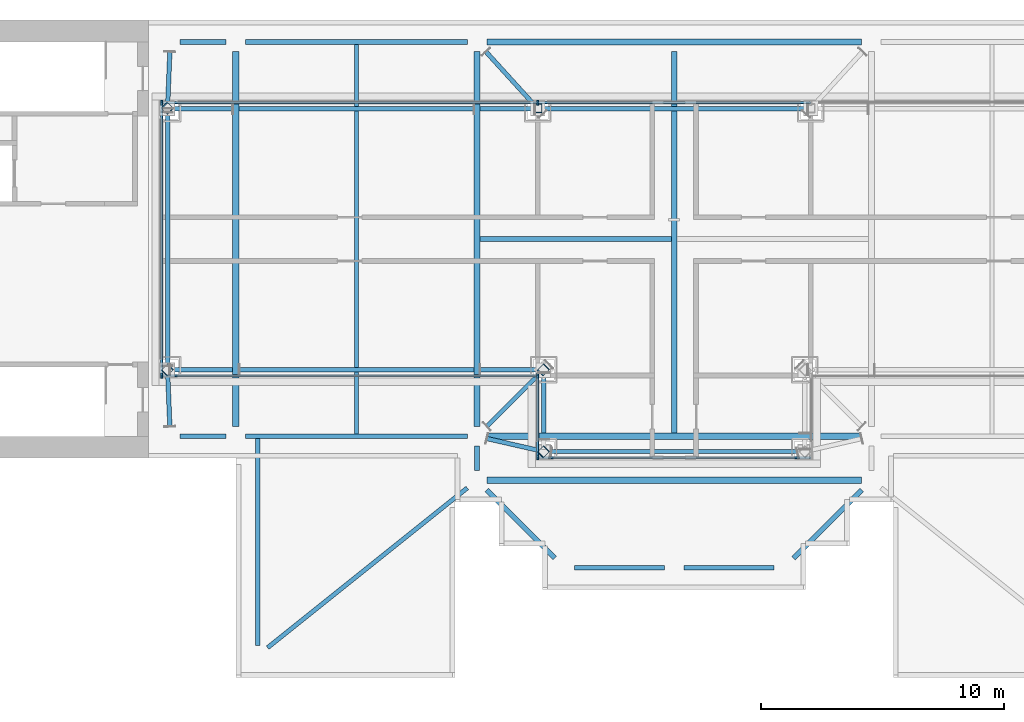
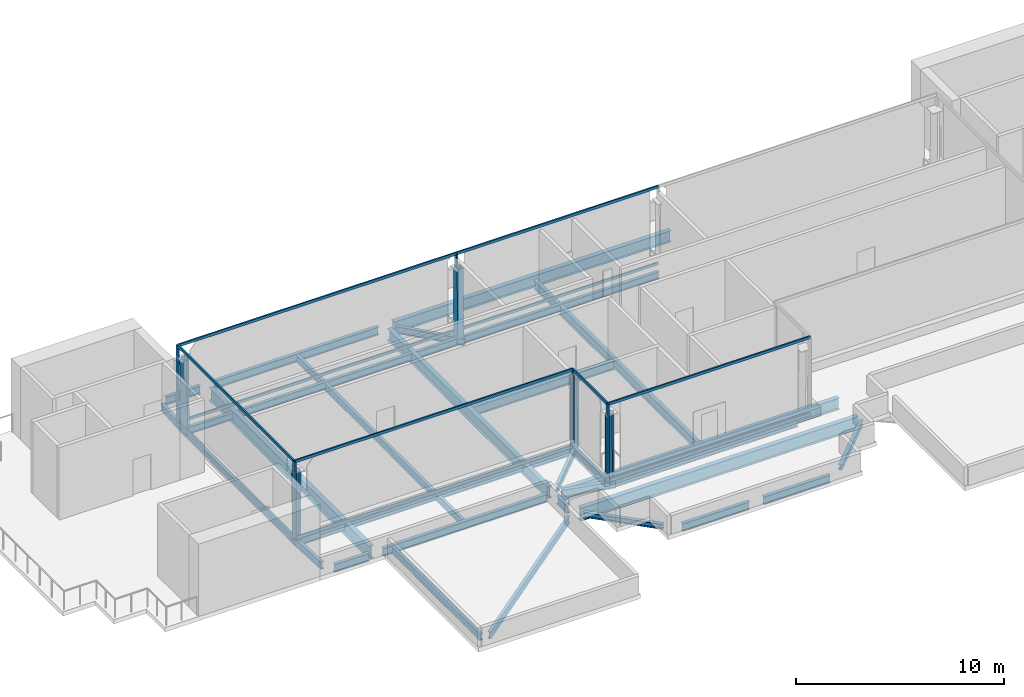
# One storey, part 1 of 8: 37 beams, 22 members, 6 elements without a shape of their own.
"""IFC4 building model written with IfcOpenShell, lengths in metres."""

from ifc_helpers import new_model, si_unit, direction, frame, origin, origin_2d, place, context, subcontext, project, spatial, rectangle, hollow_rectangle, i_section, extrude, material, material_profile, profile_set, type_object, element, aggregate, save


model = new_model("IFC4")

# Units and contexts
model_context = context("Model", 3, precision=1e-05, world=origin(), true_north=direction((0.0, 1.0)))
body_context = subcontext(model_context, "Body", "Model", "MODEL_VIEW")
ifc_project = project(units=[si_unit("LENGTHUNIT", "METRE"), si_unit("AREAUNIT", "SQUARE_METRE"), si_unit("VOLUMEUNIT", "CUBIC_METRE"), si_unit("PLANEANGLEUNIT", "RADIAN"), si_unit("MASSUNIT", "GRAM", prefix="KILO")], contexts=[model_context])

# Site, building, storey
site_placement = place(None, origin())
site = spatial("IfcSite", under=ifc_project, at=site_placement, CompositionType="ELEMENT")
building_placement = place(site_placement, origin())
building = spatial("IfcBuilding", under=site, at=building_placement, Name="Perihelion Cross Residences", CompositionType="ELEMENT")
storey_placement = place(building_placement, frame((0.0, 0.0, 298.800048828125)))
storey = spatial("IfcBuildingStorey", under=building, at=storey_placement, Name="L76", CompositionType="ELEMENT", Elevation=298.800048828125)

# Curtain wall, member
ifc_material_1 = material(Name="Bronze anodised aluminium, tinted glazing", Category="aluminium")
curtain_wall_type = type_object("IfcCurtainWallType", Name="CW6", PredefinedType="NOTDEFINED", material=ifc_material_1)
curtain_wall_1_placement = place(storey_placement, origin())
curtain_wall_1 = element("IfcCurtainWall", 1, at=curtain_wall_1_placement, inside=storey, type_object=curtain_wall_type, Name="Curtain wall CW6 L76 crown 4", PredefinedType="NOTDEFINED")
ifc_material_2 = material(Name="Bronze anodised aluminium", Category="aluminium")
ifc_material_profile_1 = material_profile(ifc_material_2, rectangle(XDim=0.080078125, YDim=0.199951171875, at=origin_2d()), Name="CW6 mullion")
ifc_profile_set_1 = profile_set([ifc_material_profile_1], Name="Bronze anodised aluminium")
member_type_1 = type_object("IfcMemberType", Name="CW6 mullion", PredefinedType="MULLION", material=ifc_profile_set_1)
member_1_placement = place(storey_placement, frame((-5.60693359375, 5.60693359375, 0.0), z_axis=(0.0, 0.0, 1.0), x_axis=(1.0, 0.0, 0.0)))
member_1 = element("IfcMember", 2, at=member_1_placement, type_object=member_type_1, Name="Mullion CW6-M L76 crown 4", PredefinedType="MULLION", context=body_context, shape_type="SweptSolid", body=[
    extrude(rectangle(XDim=0.080078125, YDim=0.199951171875, at=origin_2d()), origin(), (0.0, 0.0, 1.0), 4.5),
])

curtain_wall_2_placement = place(storey_placement, origin())
curtain_wall_2 = element("IfcCurtainWall", 3, at=curtain_wall_2_placement, inside=storey, type_object=curtain_wall_type, Name="Curtain wall CW6 L76 crown 5", PredefinedType="NOTDEFINED")
member_2_placement = place(storey_placement, frame((-21.057373046875, 5.60693359375, 0.0), z_axis=(0.0, 0.0, 1.0), x_axis=(1.0, 0.0, 0.0)))
member_2 = element("IfcMember", 4, at=member_2_placement, type_object=member_type_1, Name="Mullion CW6-M L76 crown 5", PredefinedType="MULLION", context=body_context, shape_type="SweptSolid", body=[
    extrude(rectangle(XDim=0.080078125, YDim=0.199951171875, at=origin_2d()), origin(), (0.0, 0.0, 1.0), 4.5),
])

curtain_wall_3_placement = place(storey_placement, origin())
curtain_wall_3 = element("IfcCurtainWall", 5, at=curtain_wall_3_placement, inside=storey, type_object=curtain_wall_type, Name="Curtain wall CW6 L76 crown 6", PredefinedType="NOTDEFINED")
member_3_placement = place(storey_placement, frame((-21.057373046875, -5.60693359375, 0.0), z_axis=(0.0, 0.0, 1.0), x_axis=(1.0, 0.0, 0.0)))
member_3 = element("IfcMember", 6, at=member_3_placement, type_object=member_type_1, Name="Mullion CW6-M L76 crown 6", PredefinedType="MULLION", context=body_context, shape_type="SweptSolid", body=[
    extrude(rectangle(XDim=0.080078125, YDim=0.199951171875, at=origin_2d()), origin(), (0.0, 0.0, 1.0), 4.5),
])

curtain_wall_4_placement = place(storey_placement, origin())
curtain_wall_4 = element("IfcCurtainWall", 7, at=curtain_wall_4_placement, inside=storey, type_object=curtain_wall_type, Name="Curtain wall CW6 L76 crown 7", PredefinedType="NOTDEFINED")
member_4_placement = place(storey_placement, frame((-5.60693359375, -5.60693359375, 0.0), z_axis=(0.0, 0.0, 1.0), x_axis=(1.0, 0.0, 0.0)))
member_4 = element("IfcMember", 8, at=member_4_placement, type_object=member_type_1, Name="Mullion CW6-M L76 crown 7", PredefinedType="MULLION", context=body_context, shape_type="SweptSolid", body=[
    extrude(rectangle(XDim=0.080078125, YDim=0.199951171875, at=origin_2d()), origin(), (0.0, 0.0, 1.0), 4.5),
])

curtain_wall_5_placement = place(storey_placement, origin())
curtain_wall_5 = element("IfcCurtainWall", 9, at=curtain_wall_5_placement, inside=storey, type_object=curtain_wall_type, Name="Curtain wall CW6 L76 crown 8", PredefinedType="NOTDEFINED")
member_5_placement = place(storey_placement, frame((-5.60693359375, -8.97119140625, 0.0), z_axis=(0.0, 0.0, 1.0), x_axis=(1.0, 0.0, 0.0)))
member_5 = element("IfcMember", 10, at=member_5_placement, type_object=member_type_1, Name="Mullion CW6-M L76 crown 8", PredefinedType="MULLION", context=body_context, shape_type="SweptSolid", body=[
    extrude(rectangle(XDim=0.080078125, YDim=0.199951171875, at=origin_2d()), origin(), (0.0, 0.0, 1.0), 4.5),
])

# Curtain wall, members
curtain_wall_6_placement = place(storey_placement, origin())
curtain_wall_6 = element("IfcCurtainWall", 11, at=curtain_wall_6_placement, inside=storey, type_object=curtain_wall_type, Name="Curtain wall CW6 L76 crown 3", PredefinedType="NOTDEFINED")
ifc_material_3 = material(Name="Bronze anodised aluminium", Category="aluminium")
ifc_material_profile_2 = material_profile(ifc_material_3, rectangle(XDim=0.080078125, YDim=0.159912109375, at=origin_2d()), Name="CW6 transom")
ifc_profile_set_2 = profile_set([ifc_material_profile_2], Name="Bronze anodised aluminium")
member_type_2 = type_object("IfcMemberType", Name="CW6 transom", PredefinedType="USERDEFINED", material=ifc_profile_set_2)
member_6_placement = place(storey_placement, frame((5.60693359375, 5.60693359375, 4.5), z_axis=(-1.0, 0.0, 0.0), x_axis=(0.0, -1.0, 0.0)))
member_6 = element("IfcMember", 12, at=member_6_placement, type_object=member_type_2, Name="Transom CW6-T L76 crown 3 top", ObjectType="TRANSOM", PredefinedType="USERDEFINED", context=body_context, shape_type="SweptSolid", body=[
    extrude(rectangle(XDim=0.080078125, YDim=0.159912109375, at=origin_2d()), origin(), (0.0, 0.0, 1.0), 11.2138671875),
])
member_7_placement = place(storey_placement, frame((5.60693359375, 5.60693359375, 0.0), z_axis=(-1.0, 0.0, 0.0), x_axis=(0.0, -1.0, 0.0)))
member_7 = element("IfcMember", 13, at=member_7_placement, type_object=member_type_2, Name="Transom CW6-T L76 crown 3 bottom", ObjectType="TRANSOM", PredefinedType="USERDEFINED", context=body_context, shape_type="SweptSolid", body=[
    extrude(rectangle(XDim=0.080078125, YDim=0.159912109375, at=origin_2d()), origin(), (0.0, 0.0, 1.0), 11.2138671875),
])
aggregate(curtain_wall_6, [member_6, member_7])

# Member
member_8_placement = place(storey_placement, frame((-5.60693359375, 5.60693359375, 4.5), z_axis=(-1.0, 0.0, 0.0), x_axis=(0.0, -1.0, 0.0)))
member_8 = element("IfcMember", 14, at=member_8_placement, type_object=member_type_2, Name="Transom CW6-T L76 crown 4 top", ObjectType="TRANSOM", PredefinedType="USERDEFINED", context=body_context, shape_type="SweptSolid", body=[
    extrude(rectangle(XDim=0.080078125, YDim=0.159912109375, at=origin_2d()), origin(), (0.0, 0.0, 1.0), 15.450439453125),
])

member_9_placement = place(storey_placement, frame((-5.60693359375, 5.60693359375, 0.0), z_axis=(-1.0, 0.0, 0.0), x_axis=(0.0, -1.0, 0.0)))
member_9 = element("IfcMember", 15, at=member_9_placement, type_object=member_type_2, Name="Transom CW6-T L76 crown 4 bottom", ObjectType="TRANSOM", PredefinedType="USERDEFINED", context=body_context, shape_type="SweptSolid", body=[
    extrude(rectangle(XDim=0.080078125, YDim=0.159912109375, at=origin_2d()), origin(), (0.0, 0.0, 1.0), 15.450439453125),
])

aggregate(curtain_wall_1, [member_1, member_8, member_9])

member_10_placement = place(storey_placement, frame((-21.057373046875, 5.60693359375, 4.5), z_axis=(0.0, -1.0, 0.0), x_axis=(1.0, 0.0, 0.0)))
member_10 = element("IfcMember", 16, at=member_10_placement, type_object=member_type_2, Name="Transom CW6-T L76 crown 5 top", ObjectType="TRANSOM", PredefinedType="USERDEFINED", context=body_context, shape_type="SweptSolid", body=[
    extrude(rectangle(XDim=0.080078125, YDim=0.159912109375, at=origin_2d()), origin(), (0.0, 0.0, 1.0), 11.2138671875),
])

member_11_placement = place(storey_placement, frame((-21.057373046875, 5.60693359375, 0.0), z_axis=(0.0, -1.0, 0.0), x_axis=(1.0, 0.0, 0.0)))
member_11 = element("IfcMember", 17, at=member_11_placement, type_object=member_type_2, Name="Transom CW6-T L76 crown 5 bottom", ObjectType="TRANSOM", PredefinedType="USERDEFINED", context=body_context, shape_type="SweptSolid", body=[
    extrude(rectangle(XDim=0.080078125, YDim=0.159912109375, at=origin_2d()), origin(), (0.0, 0.0, 1.0), 11.2138671875),
])

aggregate(curtain_wall_2, [member_2, member_10, member_11])

member_12_placement = place(storey_placement, frame((-21.057373046875, -5.60693359375, 4.5), z_axis=(1.0, 0.0, 0.0), x_axis=(0.0, 1.0, 0.0)))
member_12 = element("IfcMember", 18, at=member_12_placement, type_object=member_type_2, Name="Transom CW6-T L76 crown 6 top", ObjectType="TRANSOM", PredefinedType="USERDEFINED", context=body_context, shape_type="SweptSolid", body=[
    extrude(rectangle(XDim=0.080078125, YDim=0.159912109375, at=origin_2d()), origin(), (0.0, 0.0, 1.0), 15.450439453125),
])

member_13_placement = place(storey_placement, frame((-21.057373046875, -5.60693359375, 0.0), z_axis=(1.0, 0.0, 0.0), x_axis=(0.0, 1.0, 0.0)))
member_13 = element("IfcMember", 19, at=member_13_placement, type_object=member_type_2, Name="Transom CW6-T L76 crown 6 bottom", ObjectType="TRANSOM", PredefinedType="USERDEFINED", context=body_context, shape_type="SweptSolid", body=[
    extrude(rectangle(XDim=0.080078125, YDim=0.159912109375, at=origin_2d()), origin(), (0.0, 0.0, 1.0), 15.450439453125),
])

aggregate(curtain_wall_3, [member_3, member_12, member_13])

member_14_placement = place(storey_placement, frame((-5.60693359375, -5.60693359375, 4.5), z_axis=(0.0, -1.0, 0.0), x_axis=(1.0, 0.0, 0.0)))
member_14 = element("IfcMember", 20, at=member_14_placement, type_object=member_type_2, Name="Transom CW6-T L76 crown 7 top", ObjectType="TRANSOM", PredefinedType="USERDEFINED", context=body_context, shape_type="SweptSolid", body=[
    extrude(rectangle(XDim=0.080078125, YDim=0.159912109375, at=origin_2d()), origin(), (0.0, 0.0, 1.0), 3.3642578125),
])

member_15_placement = place(storey_placement, frame((-5.60693359375, -5.60693359375, 0.0), z_axis=(0.0, -1.0, 0.0), x_axis=(1.0, 0.0, 0.0)))
member_15 = element("IfcMember", 21, at=member_15_placement, type_object=member_type_2, Name="Transom CW6-T L76 crown 7 bottom", ObjectType="TRANSOM", PredefinedType="USERDEFINED", context=body_context, shape_type="SweptSolid", body=[
    extrude(rectangle(XDim=0.080078125, YDim=0.159912109375, at=origin_2d()), origin(), (0.0, 0.0, 1.0), 3.3642578125),
])

aggregate(curtain_wall_4, [member_4, member_14, member_15])

member_16_placement = place(storey_placement, frame((-5.60693359375, -8.97119140625, 4.5), z_axis=(1.0, 0.0, 0.0), x_axis=(0.0, 1.0, 0.0)))
member_16 = element("IfcMember", 22, at=member_16_placement, type_object=member_type_2, Name="Transom CW6-T L76 crown 8 top", ObjectType="TRANSOM", PredefinedType="USERDEFINED", context=body_context, shape_type="SweptSolid", body=[
    extrude(rectangle(XDim=0.080078125, YDim=0.159912109375, at=origin_2d()), origin(), (0.0, 0.0, 1.0), 11.2138671875),
])

member_17_placement = place(storey_placement, frame((-5.60693359375, -8.97119140625, 0.0), z_axis=(1.0, 0.0, 0.0), x_axis=(0.0, 1.0, 0.0)))
member_17 = element("IfcMember", 23, at=member_17_placement, type_object=member_type_2, Name="Transom CW6-T L76 crown 8 bottom", ObjectType="TRANSOM", PredefinedType="USERDEFINED", context=body_context, shape_type="SweptSolid", body=[
    extrude(rectangle(XDim=0.080078125, YDim=0.159912109375, at=origin_2d()), origin(), (0.0, 0.0, 1.0), 11.2138671875),
])

aggregate(curtain_wall_5, [member_5, member_16, member_17])

# Beams
ifc_material_4 = material(Name="Steel S355", Category="steel")
ifc_material_profile_3 = material_profile(ifc_material_4, i_section(OverallWidth=0.177978515625, OverallDepth=0.406005859375, WebThickness=0.0078125, FlangeThickness=0.0126953125, at=origin_2d()), Name="W410x60")
ifc_profile_set_3 = profile_set([ifc_material_profile_3], Name="Steel S355")
beam_type_1 = type_object("IfcBeamType", Name="Core edge beam W410x60", PredefinedType="BEAM", material=ifc_profile_set_3)
beam_1_placement = place(storey_placement, frame((-17.10009765625, -8.197021484375, -0.453125), z_axis=(0.0, -1.0, 0.0), x_axis=(1.0, 0.0, 0.0)))
element("IfcBeam", 24, at=beam_1_placement, inside=storey, type_object=beam_type_1, Name="Core edge beam TB2 L76 corner no. 1", PredefinedType="BEAM", context=body_context, shape_type="SweptSolid", body=[
    extrude(i_section(OverallWidth=0.177978515625, OverallDepth=0.406005859375, WebThickness=0.0078125, FlangeThickness=0.0126953125, at=origin_2d()), origin(), (0.0, 0.0, 1.0), 8.5029296875),
])
beam_2_placement = place(storey_placement, frame((-8.5, -10.219970703125, -0.453125), z_axis=(-0.780864273032, -0.624700718027, 0.0), x_axis=(0.624700718027, -0.780864273032, 0.0)))
element("IfcBeam", 25, at=beam_2_placement, inside=storey, type_object=beam_type_1, Name="Core edge beam TB2 L76 corner no. 2", PredefinedType="BEAM", context=body_context, shape_type="SweptSolid", body=[
    extrude(i_section(OverallWidth=0.177978515625, OverallDepth=0.406005859375, WebThickness=0.0078125, FlangeThickness=0.0126953125, at=origin_2d()), origin(), (0.0, 0.0, 1.0), 10.501220703125),
])

# Members
ifc_material_5 = material(Name="Steel S355", Category="steel")
ifc_material_profile_4 = material_profile(ifc_material_5, hollow_rectangle(XDim=0.35595703125, YDim=0.35595703125, WallThickness=0.015869140625, at=origin_2d()), Name="HSS355.6x355.6x15.9")
ifc_profile_set_4 = profile_set([ifc_material_profile_4], Name="Steel S355")
member_type_3 = type_object("IfcMemberType", Name="Crown leg HSS355.6x355.6x15.9", PredefinedType="BRACE", material=ifc_profile_set_4)
member_18_placement = place(storey_placement, frame((-5.60693359375, 5.360107421875, -0.25), z_axis=(0.0, 0.005560784627, 0.999984538718), x_axis=(-1.0, 0.0, 0.0)))
element("IfcMember", 26, at=member_18_placement, inside=storey, type_object=member_type_3, Name="Crown leg CR2 L76 4 no. 1", PredefinedType="BRACE", context=body_context, shape_type="SweptSolid", body=[
    extrude(hollow_rectangle(XDim=0.35595703125, YDim=0.35595703125, WallThickness=0.015869140625, at=origin_2d()), origin(), (0.0, 0.0, 1.0), 4.0830078125),
])
for number, where, z_axis, x_axis, name in (
    (27, (-20.810546875, 5.360107421875, -0.25), (-0.005560698653, 0.005560698653, 0.999969078152), (-0.707106781187, -0.707106781187, 0.0), "Crown leg CR2 L76 5 no. 1"),
    (28, (-20.810546875, -5.360107421875, -0.25), (-0.005560698653, -0.005560698653, 0.999969078152), (0.707106781187, -0.707106781187, 0.0), "Crown leg CR2 L76 6 no. 1"),
    (29, (-5.360107421875, -5.360107421875, -0.25), (-0.005560698653, -0.005560698653, 0.999969078152), (0.707106781187, -0.707106781187, 0.0), "Crown leg CR2 L76 7 no. 1"),
    (30, (-5.360107421875, -8.724365234375, -0.25), (-0.005560698653, -0.005560698653, 0.999969078152), (0.707106781187, -0.707106781187, 0.0), "Crown leg CR2 L76 8 no. 1"),
):
    element("IfcMember", number, at=place(storey_placement, frame(where, z_axis=z_axis, x_axis=x_axis)), inside=storey, type_object=member_type_3, Name=name, PredefinedType="BRACE", context=body_context, shape_type="SweptSolid", body=[
        extrude(hollow_rectangle(XDim=0.35595703125, YDim=0.35595703125, WallThickness=0.015869140625, at=origin_2d()), origin(), (0.0, 0.0, 1.0), 4.083251953125),
    ])

# Beams
ifc_material_6 = material(Name="Steel S355", Category="steel")
ifc_material_profile_5 = material_profile(ifc_material_6, i_section(OverallWidth=0.180908203125, OverallDepth=0.4169921875, WebThickness=0.010986328125, FlangeThickness=0.018310546875, at=origin_2d()), Name="W410x85")
ifc_profile_set_5 = profile_set([ifc_material_profile_5], Name="Steel S355")
beam_type_2 = type_object("IfcBeamType", Name="Crown ring beam W410x85", PredefinedType="BEAM", material=ifc_profile_set_5)
beam_3_placement = place(storey_placement, frame((5.484619140625, 5.360107421875, -0.45849609375), z_axis=(-1.0, 0.0, 0.0), x_axis=(0.0, -1.0, 0.0)))
element("IfcBeam", 31, at=beam_3_placement, inside=storey, type_object=beam_type_2, Name="Crown ring beam CB1 L76 no. 2", PredefinedType="BEAM", context=body_context, shape_type="SweptSolid", body=[
    extrude(i_section(OverallWidth=0.180908203125, OverallDepth=0.4169921875, WebThickness=0.010986328125, FlangeThickness=0.018310546875, at=origin_2d()), origin(), (0.0, 0.0, 1.0), 10.96923828125),
])
beam_4_placement = place(storey_placement, frame((-5.729248046875, 5.360107421875, -0.45849609375), z_axis=(-1.0, 0.0, 0.0), x_axis=(0.0, -1.0, 0.0)))
element("IfcBeam", 32, at=beam_4_placement, inside=storey, type_object=beam_type_2, Name="Crown ring beam CB1 L76 1 no. 2", PredefinedType="BEAM", context=body_context, shape_type="SweptSolid", body=[
    extrude(i_section(OverallWidth=0.180908203125, OverallDepth=0.4169921875, WebThickness=0.010986328125, FlangeThickness=0.018310546875, at=origin_2d()), origin(), (0.0, 0.0, 1.0), 2.24365234375),
])
beam_5_placement = place(storey_placement, frame((-8.22705078125, 5.360107421875, -0.45849609375), z_axis=(-1.0, 0.0, 0.0), x_axis=(0.0, -1.0, 0.0)))
element("IfcBeam", 33, at=beam_5_placement, inside=storey, type_object=beam_type_2, Name="Crown ring beam CB1 L76 2 no. 2", PredefinedType="BEAM", context=body_context, shape_type="SweptSolid", body=[
    extrude(i_section(OverallWidth=0.180908203125, OverallDepth=0.4169921875, WebThickness=0.010986328125, FlangeThickness=0.018310546875, at=origin_2d()), origin(), (0.0, 0.0, 1.0), 9.639404296875),
])
beam_6_placement = place(storey_placement, frame((-18.133544921875, 5.360107421875, -0.45849609375), z_axis=(-1.0, 0.0, 0.0), x_axis=(0.0, -1.0, 0.0)))
element("IfcBeam", 34, at=beam_6_placement, inside=storey, type_object=beam_type_2, Name="Crown ring beam CB1 L76 3 no. 2", PredefinedType="BEAM", context=body_context, shape_type="SweptSolid", body=[
    extrude(i_section(OverallWidth=0.180908203125, OverallDepth=0.4169921875, WebThickness=0.010986328125, FlangeThickness=0.018310546875, at=origin_2d()), origin(), (0.0, 0.0, 1.0), 2.58642578125),
])
beam_7_placement = place(storey_placement, frame((-20.810546875, 5.360107421875, -0.45849609375), z_axis=(0.0, -1.0, 0.0), x_axis=(1.0, 0.0, 0.0)))
element("IfcBeam", 35, at=beam_7_placement, inside=storey, type_object=beam_type_2, Name="Crown ring beam CB1 L76 no. 3", PredefinedType="BEAM", context=body_context, shape_type="SweptSolid", body=[
    extrude(i_section(OverallWidth=0.180908203125, OverallDepth=0.4169921875, WebThickness=0.010986328125, FlangeThickness=0.018310546875, at=origin_2d()), origin(), (0.0, 0.0, 1.0), 10.72021484375),
])
beam_8_placement = place(storey_placement, frame((-20.719970703125, -5.360107421875, -0.45849609375), z_axis=(1.0, 0.0, 0.0), x_axis=(0.0, 1.0, 0.0)))
element("IfcBeam", 36, at=beam_8_placement, inside=storey, type_object=beam_type_2, Name="Crown ring beam CB1 L76 1 no. 3", PredefinedType="BEAM", context=body_context, shape_type="SweptSolid", body=[
    extrude(i_section(OverallWidth=0.180908203125, OverallDepth=0.4169921875, WebThickness=0.010986328125, FlangeThickness=0.018310546875, at=origin_2d()), origin(), (0.0, 0.0, 1.0), 2.58642578125),
])
beam_9_placement = place(storey_placement, frame((-17.866455078125, -5.360107421875, -0.45849609375), z_axis=(1.0, 0.0, 0.0), x_axis=(0.0, 1.0, 0.0)))
element("IfcBeam", 37, at=beam_9_placement, inside=storey, type_object=beam_type_2, Name="Crown ring beam CB1 L76 2 no. 3", PredefinedType="BEAM", context=body_context, shape_type="SweptSolid", body=[
    extrude(i_section(OverallWidth=0.180908203125, OverallDepth=0.4169921875, WebThickness=0.010986328125, FlangeThickness=0.018310546875, at=origin_2d()), origin(), (0.0, 0.0, 1.0), 9.639404296875),
])
for number, where, z_axis, x_axis, name in (
    (38, (-7.972900390625, -5.360107421875, -0.45849609375), (1.0, 0.0, 0.0), (0.0, 1.0, 0.0), "Crown ring beam CB1 L76 3 no. 3"),
    (39, (-5.360107421875, -5.488037109375, -0.45849609375), (0.0, -1.0, 0.0), (1.0, 0.0, 0.0), "Crown ring beam CB1 L76 1 no. 4"),
):
    element("IfcBeam", number, at=place(storey_placement, frame(where, z_axis=z_axis, x_axis=x_axis)), inside=storey, type_object=beam_type_2, Name=name, PredefinedType="BEAM", context=body_context, shape_type="SweptSolid", body=[
        extrude(i_section(OverallWidth=0.180908203125, OverallDepth=0.4169921875, WebThickness=0.010986328125, FlangeThickness=0.018310546875, at=origin_2d()), origin(), (0.0, 0.0, 1.0), 2.48486328125),
    ])
beam_10_placement = place(storey_placement, frame((-5.05859375, -8.724365234375, -0.45849609375), z_axis=(1.0, 0.0, 0.0), x_axis=(0.0, 1.0, 0.0)))
element("IfcBeam", 40, at=beam_10_placement, inside=storey, type_object=beam_type_2, Name="Crown ring beam CB1 L76 no. 4", PredefinedType="BEAM", context=body_context, shape_type="SweptSolid", body=[
    extrude(i_section(OverallWidth=0.180908203125, OverallDepth=0.4169921875, WebThickness=0.010986328125, FlangeThickness=0.018310546875, at=origin_2d()), origin(), (0.0, 0.0, 1.0), 10.1171875),
])
beam_11_placement = place(storey_placement, frame((-5.405029296875, 5.13818359375, -0.45849609375), z_axis=(-0.67301654825, 0.739627423627, 0.0), x_axis=(-0.739627423627, -0.67301654825, 0.0)))
element("IfcBeam", 41, at=beam_11_placement, inside=storey, type_object=beam_type_2, Name="Crown tie beam CB1 L76 no. 4", PredefinedType="BEAM", context=body_context, shape_type="SweptSolid", body=[
    extrude(i_section(OverallWidth=0.180908203125, OverallDepth=0.4169921875, WebThickness=0.010986328125, FlangeThickness=0.018310546875, at=origin_2d()), origin(), (0.0, 0.0, 1.0), 3.463623046875),
])
for number, where, z_axis, x_axis, name in (
    (42, (-20.816650390625, 5.210205078125, -0.45849609375), (0.040367148927, 0.999184914462, 0.0), (-0.999184914462, 0.040367148927, 0.0), "Crown tie beam CB1 L76 no. 5"),
    (43, (-20.816650390625, -5.210205078125, -0.45849609375), (0.040367148927, -0.999184914462, 0.0), (0.999184914462, 0.040367148927, 0.0), "Crown tie beam CB1 L76 no. 6"),
):
    element("IfcBeam", number, at=place(storey_placement, frame(where, z_axis=z_axis, x_axis=x_axis)), inside=storey, type_object=beam_type_2, Name=name, PredefinedType="BEAM", context=body_context, shape_type="SweptSolid", body=[
        extrude(i_section(OverallWidth=0.180908203125, OverallDepth=0.4169921875, WebThickness=0.010986328125, FlangeThickness=0.018310546875, at=origin_2d()), origin(), (0.0, 0.0, 1.0), 2.49169921875),
    ])
beam_12_placement = place(storey_placement, frame((-5.14794921875, -5.14794921875, -0.45849609375), z_axis=(-0.707106781187, -0.707106781187, 0.0), x_axis=(0.707106781187, -0.707106781187, 0.0)))
element("IfcBeam", 44, at=beam_12_placement, inside=storey, type_object=beam_type_2, Name="Crown tie beam CB1 L76 no. 7", PredefinedType="BEAM", context=body_context, shape_type="SweptSolid", body=[
    extrude(i_section(OverallWidth=0.180908203125, OverallDepth=0.4169921875, WebThickness=0.010986328125, FlangeThickness=0.018310546875, at=origin_2d()), origin(), (0.0, 0.0, 1.0), 3.609130859375),
])
beam_13_placement = place(storey_placement, frame((-5.067626953125, -8.791015625, -0.45849609375), z_axis=(-0.975004778172, 0.222183893523, 0.0), x_axis=(-0.222183893523, -0.975004778172, 0.0)))
element("IfcBeam", 45, at=beam_13_placement, inside=storey, type_object=beam_type_2, Name="Crown tie beam CB1 L76 no. 8", PredefinedType="BEAM", context=body_context, shape_type="SweptSolid", body=[
    extrude(i_section(OverallWidth=0.180908203125, OverallDepth=0.4169921875, WebThickness=0.010986328125, FlangeThickness=0.018310546875, at=origin_2d()), origin(), (0.0, 0.0, 1.0), 2.69970703125),
])
ifc_material_7 = material(Name="Steel S355", Category="steel")
ifc_material_profile_6 = material_profile(ifc_material_7, i_section(OverallWidth=0.194091796875, OverallDepth=0.469970703125, WebThickness=0.0126953125, FlangeThickness=0.0205078125, at=origin_2d()), Name="W460x106")
ifc_profile_set_6 = profile_set([ifc_material_profile_6], Name="Steel S355")
beam_type_3 = type_object("IfcBeamType", Name="Edge beam W460x106", PredefinedType="SPANDREL", material=ifc_profile_set_6)
beam_14_placement = place(storey_placement, frame((-8.5, 8.10009765625, -0.485107421875), z_axis=(-1.0, 0.0, 0.0), x_axis=(0.0, -1.0, 0.0)))
element("IfcBeam", 46, at=beam_14_placement, inside=storey, type_object=beam_type_3, Name="Edge beam SB5 L76 no. 6", PredefinedType="SPANDREL", context=body_context, shape_type="SweptSolid", body=[
    extrude(i_section(OverallWidth=0.194091796875, OverallDepth=0.469970703125, WebThickness=0.0126953125, FlangeThickness=0.0205078125, at=origin_2d()), origin(), (0.0, 0.0, 1.0), 9.10009765625),
])
for number, where, z_axis, x_axis, name in (
    (47, (-18.39990234375, 8.10009765625, -0.485107421875), (-1.0, 0.0, 0.0), (0.0, -1.0, 0.0), "Edge beam SB5 L76 no. 2"),
    (48, (-20.300048828125, -8.10009765625, -0.485107421875), (1.0, 0.0, 0.0), (0.0, 1.0, 0.0), "Edge beam SB5 L76 no. 3"),
):
    element("IfcBeam", number, at=place(storey_placement, frame(where, z_axis=z_axis, x_axis=x_axis)), inside=storey, type_object=beam_type_3, Name=name, PredefinedType="SPANDREL", context=body_context, shape_type="SweptSolid", body=[
        extrude(i_section(OverallWidth=0.194091796875, OverallDepth=0.469970703125, WebThickness=0.0126953125, FlangeThickness=0.0205078125, at=origin_2d()), origin(), (0.0, 0.0, 1.0), 1.900146484375),
    ])
beam_15_placement = place(storey_placement, frame((-17.60009765625, -8.10009765625, -0.485107421875), z_axis=(1.0, 0.0, 0.0), x_axis=(0.0, 1.0, 0.0)))
element("IfcBeam", 49, at=beam_15_placement, inside=storey, type_object=beam_type_3, Name="Edge beam SB5 L76 no. 1", PredefinedType="SPANDREL", context=body_context, shape_type="SweptSolid", body=[
    extrude(i_section(OverallWidth=0.194091796875, OverallDepth=0.469970703125, WebThickness=0.0126953125, FlangeThickness=0.0205078125, at=origin_2d()), origin(), (0.0, 0.0, 1.0), 9.10009765625),
])
beam_16_placement = place(storey_placement, frame((-8.10009765625, -8.5, -0.485107421875), z_axis=(0.0, -1.0, 0.0), x_axis=(1.0, 0.0, 0.0)))
element("IfcBeam", 50, at=beam_16_placement, inside=storey, type_object=beam_type_3, Name="Edge beam SB5 L76 no. 5", PredefinedType="SPANDREL", context=body_context, shape_type="SweptSolid", body=[
    extrude(i_section(OverallWidth=0.194091796875, OverallDepth=0.469970703125, WebThickness=0.0126953125, FlangeThickness=0.0205078125, at=origin_2d()), origin(), (0.0, 0.0, 1.0), 1.0),
])
for number, where, z_axis, x_axis, name in (
    (51, (-4.10009765625, -13.5, -0.485107421875), (1.0, 0.0, 0.0), (0.0, 1.0, 0.0), "Edge beam SB5 L76 no. 4"),
    (52, (0.39990234375, -13.5, -0.485107421875), (1.0, 0.0, 0.0), (0.0, 1.0, 0.0), "Edge beam SB5 L76 no. 7"),
):
    element("IfcBeam", number, at=place(storey_placement, frame(where, z_axis=z_axis, x_axis=x_axis)), inside=storey, type_object=beam_type_3, Name=name, PredefinedType="SPANDREL", context=body_context, shape_type="SweptSolid", body=[
        extrude(i_section(OverallWidth=0.194091796875, OverallDepth=0.469970703125, WebThickness=0.0126953125, FlangeThickness=0.0205078125, at=origin_2d()), origin(), (0.0, 0.0, 1.0), 3.7001953125),
    ])
ifc_material_8 = material(Name="Steel S355", Category="steel")
ifc_material_profile_7 = material_profile(ifc_material_8, i_section(OverallWidth=0.26708984375, OverallDepth=0.75390625, WebThickness=0.01318359375, FlangeThickness=0.01708984375, at=origin_2d()), Name="W760x147")
ifc_profile_set_7 = profile_set([ifc_material_profile_7], Name="Steel S355")
beam_type_4 = type_object("IfcBeamType", Name="Floor girder W760x147", PredefinedType="BEAM", material=ifc_profile_set_7)
for number, where, z_axis, x_axis, name in (
    (53, (-7.699951171875, -9.89990234375, -0.626953125), (1.0, 0.0, 0.0), (0.0, 1.0, 0.0), "Girder G5 L76 no. 3"),
    (54, (-18.0, -7.699951171875, -0.626953125), (0.0, 1.0, 0.0), (-1.0, 0.0, 0.0), "Girder G5 L76 no. 1"),
):
    element("IfcBeam", number, at=place(storey_placement, frame(where, z_axis=z_axis, x_axis=x_axis)), inside=storey, type_object=beam_type_4, Name=name, PredefinedType="BEAM", context=body_context, shape_type="SweptSolid", body=[
        extrude(i_section(OverallWidth=0.26708984375, OverallDepth=0.75390625, WebThickness=0.01318359375, FlangeThickness=0.01708984375, at=origin_2d()), origin(), (0.0, 0.0, 1.0), 15.39990234375),
    ])
ifc_material_9 = material(Name="Steel S355", Category="steel")
ifc_material_profile_8 = material_profile(ifc_material_9, i_section(OverallWidth=0.177978515625, OverallDepth=0.406005859375, WebThickness=0.0078125, FlangeThickness=0.0126953125, at=origin_2d()), Name="W410x60")
ifc_profile_set_8 = profile_set([ifc_material_profile_8], Name="Steel S355")
beam_type_5 = type_object("IfcBeamType", Name="Floor joist W410x60", PredefinedType="JOIST", material=ifc_profile_set_8)
beam_17_placement = place(storey_placement, frame((-13.050048828125, -8.0029296875, -0.453125), z_axis=(0.0, 1.0, 0.0), x_axis=(-1.0, 0.0, 0.0)))
element("IfcBeam", 55, at=beam_17_placement, inside=storey, type_object=beam_type_5, Name="Joist J6 L76 no. 1", PredefinedType="JOIST", context=body_context, shape_type="SweptSolid", body=[
    extrude(i_section(OverallWidth=0.177978515625, OverallDepth=0.406005859375, WebThickness=0.0078125, FlangeThickness=0.0126953125, at=origin_2d()), origin(), (0.0, 0.0, 1.0), 2.55224609375),
])
beam_18_placement = place(storey_placement, frame((-13.050048828125, -5.269775390625, -0.453125), z_axis=(0.0, 1.0, 0.0), x_axis=(-1.0, 0.0, 0.0)))
element("IfcBeam", 56, at=beam_18_placement, inside=storey, type_object=beam_type_5, Name="Joist J6 L76 no. 2", PredefinedType="JOIST", context=body_context, shape_type="SweptSolid", body=[
    extrude(i_section(OverallWidth=0.177978515625, OverallDepth=0.406005859375, WebThickness=0.0078125, FlangeThickness=0.0126953125, at=origin_2d()), origin(), (0.0, 0.0, 1.0), 10.53955078125),
])
beam_19_placement = place(storey_placement, frame((-13.050048828125, 5.45068359375, -0.453125), z_axis=(0.0, 1.0, 0.0), x_axis=(-1.0, 0.0, 0.0)))
element("IfcBeam", 57, at=beam_19_placement, inside=storey, type_object=beam_type_5, Name="Joist J6 L76 no. 3", PredefinedType="JOIST", context=body_context, shape_type="SweptSolid", body=[
    extrude(i_section(OverallWidth=0.177978515625, OverallDepth=0.406005859375, WebThickness=0.0078125, FlangeThickness=0.0126953125, at=origin_2d()), origin(), (0.0, 0.0, 1.0), 2.55224609375),
])
ifc_material_10 = material(Name="Steel S355", Category="steel")
ifc_material_profile_9 = material_profile(ifc_material_10, i_section(OverallWidth=0.208984375, OverallDepth=0.532958984375, WebThickness=0.01025390625, FlangeThickness=0.015625, at=origin_2d()), Name="W530x92")
ifc_profile_set_9 = profile_set([ifc_material_profile_9], Name="Steel S355")
beam_type_6 = type_object("IfcBeamType", Name="Hub cross beam W530x92", PredefinedType="BEAM", material=ifc_profile_set_9)
beam_20_placement = place(storey_placement, frame((0.0, -7.972900390625, -0.5166015625), z_axis=(0.0, 1.0, 0.0), x_axis=(-1.0, 0.0, 0.0)))
element("IfcBeam", 58, at=beam_20_placement, inside=storey, type_object=beam_type_6, Name="Hub cross beam XB5 L76 1 no. 1", PredefinedType="BEAM", context=body_context, shape_type="SweptSolid", body=[
    extrude(i_section(OverallWidth=0.208984375, OverallDepth=0.532958984375, WebThickness=0.01025390625, FlangeThickness=0.015625, at=origin_2d()), origin(), (0.0, 0.0, 1.0), 13.24267578125),
])
beam_21_placement = place(storey_placement, frame((0.0, 5.45068359375, -0.5166015625), z_axis=(0.0, 1.0, 0.0), x_axis=(-1.0, 0.0, 0.0)))
element("IfcBeam", 59, at=beam_21_placement, inside=storey, type_object=beam_type_6, Name="Hub cross beam XB5 L76 2 no. 1", PredefinedType="BEAM", context=body_context, shape_type="SweptSolid", body=[
    extrude(i_section(OverallWidth=0.208984375, OverallDepth=0.532958984375, WebThickness=0.01025390625, FlangeThickness=0.015625, at=origin_2d()), origin(), (0.0, 0.0, 1.0), 2.249267578125),
])
beam_22_placement = place(storey_placement, frame((-7.972900390625, 0.0, -0.5166015625), z_axis=(1.0, 0.0, 0.0), x_axis=(0.0, 1.0, 0.0)))
element("IfcBeam", 60, at=beam_22_placement, inside=storey, type_object=beam_type_6, Name="Hub cross beam XB5 L76 1 no. 2", PredefinedType="BEAM", context=body_context, shape_type="SweptSolid", body=[
    extrude(i_section(OverallWidth=0.208984375, OverallDepth=0.532958984375, WebThickness=0.01025390625, FlangeThickness=0.015625, at=origin_2d()), origin(), (0.0, 0.0, 1.0), 7.868408203125),
])
ifc_material_11 = material(Name="Steel S355", Category="steel")
ifc_material_profile_10 = material_profile(ifc_material_11, i_section(OverallWidth=0.25390625, OverallDepth=0.677978515625, WebThickness=0.01171875, FlangeThickness=0.016357421875, at=origin_2d()), Name="W690x125")
ifc_profile_set_10 = profile_set([ifc_material_profile_10], Name="Steel S355")
beam_type_7 = type_object("IfcBeamType", Name="Hub ring girder W690x125", PredefinedType="BEAM", material=ifc_profile_set_10)
for number, where, z_axis, x_axis, name in (
    (61, (-7.699951171875, -8.10009765625, -0.589111328125), (1.0, 0.0, 0.0), (0.0, 1.0, 0.0), "Hub ring girder RG5 L76 no. 1"),
    (62, (7.699951171875, 8.10009765625, -0.589111328125), (-1.0, 0.0, 0.0), (0.0, -1.0, 0.0), "Hub ring girder RG5 L76 no. 4"),
    (63, (-8.10009765625, 7.699951171875, -0.589111328125), (0.0, -1.0, 0.0), (1.0, 0.0, 0.0), "Hub ring girder RG5 L76 no. 2"),
):
    element("IfcBeam", number, at=place(storey_placement, frame(where, z_axis=z_axis, x_axis=x_axis)), inside=storey, type_object=beam_type_7, Name=name, PredefinedType="BEAM", context=body_context, shape_type="SweptSolid", body=[
        extrude(i_section(OverallWidth=0.25390625, OverallDepth=0.677978515625, WebThickness=0.01171875, FlangeThickness=0.016357421875, at=origin_2d()), origin(), (0.0, 0.0, 1.0), 15.39990234375),
    ])
ifc_material_12 = material(Name="Steel S355", Category="steel")
ifc_material_profile_11 = material_profile(ifc_material_12, i_section(OverallWidth=0.202880859375, OverallDepth=0.302001953125, WebThickness=0.007568359375, FlangeThickness=0.01318359375, at=origin_2d()), Name="W310x60")
ifc_profile_set_11 = profile_set([ifc_material_profile_11], Name="Steel S355")
beam_type_8 = type_object("IfcBeamType", Name="Serration edge beam W310x60", PredefinedType="BEAM", material=ifc_profile_set_11)
for number, where, z_axis, x_axis, name in (
    (64, (4.89990234375, -13.10009765625, -0.401123046875), (0.707106781187, 0.707106781187, 0.0), (-0.707106781187, 0.707106781187, 0.0), "Serration edge beam EB5 L76 no. 2"),
    (65, (-7.699951171875, -10.300048828125, -0.401123046875), (0.707106781187, -0.707106781187, 0.0), (0.707106781187, 0.707106781187, 0.0), "Serration edge beam EB5 L76 no. 1"),
):
    element("IfcBeam", number, at=place(storey_placement, frame(where, z_axis=z_axis, x_axis=x_axis)), inside=storey, type_object=beam_type_8, Name=name, PredefinedType="BEAM", context=body_context, shape_type="SweptSolid", body=[
        extrude(i_section(OverallWidth=0.202880859375, OverallDepth=0.302001953125, WebThickness=0.007568359375, FlangeThickness=0.01318359375, at=origin_2d()), origin(), (0.0, 0.0, 1.0), 3.9599609375),
    ])

save(model, "model.ifc")
